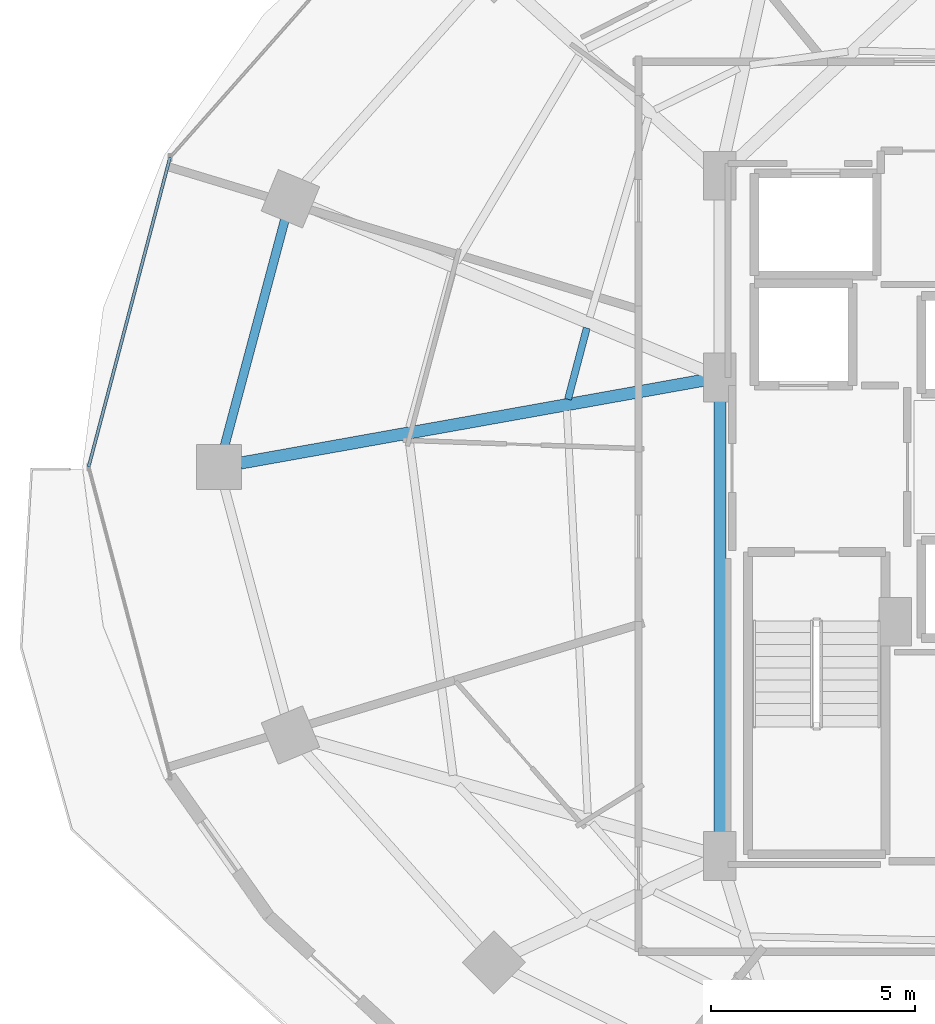
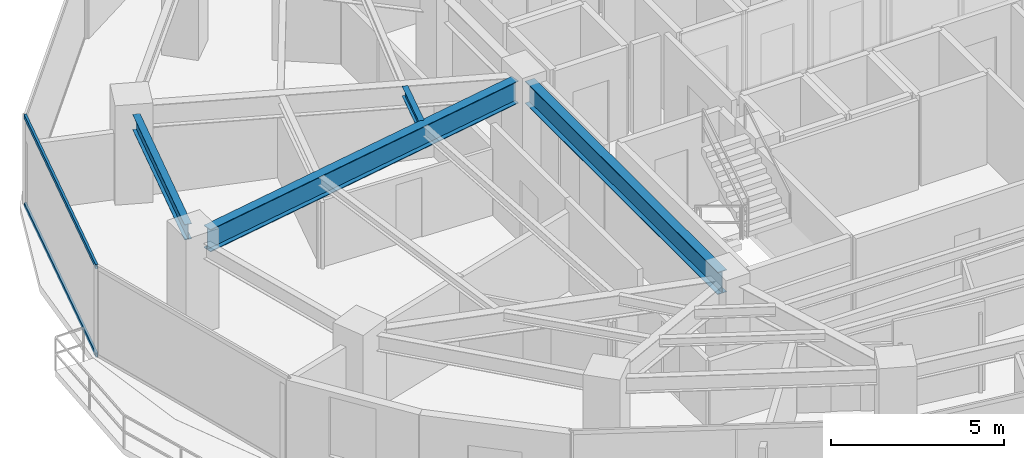
# One storey, part 8 of 29: 4 beams, 2 members, 1 element without a shape of its own.
"""IFC4 building model written with IfcOpenShell, lengths in metres."""

from ifc_helpers import new_model, si_unit, direction, frame, origin, origin_2d, place, context, subcontext, project, spatial, hollow_rectangle, i_section, extrude, material, material_profile, profile_set, type_object, element, aggregate, save


model = new_model("IFC4")

# Units and contexts
model_context = context("Model", 3, precision=1e-05, world=origin(), true_north=direction((0.0, 1.0)))
body_context = subcontext(model_context, "Body", "Model", "MODEL_VIEW")
ifc_project = project(units=[si_unit("LENGTHUNIT", "METRE"), si_unit("AREAUNIT", "SQUARE_METRE"), si_unit("VOLUMEUNIT", "CUBIC_METRE"), si_unit("PLANEANGLEUNIT", "RADIAN"), si_unit("MASSUNIT", "GRAM", prefix="KILO")], contexts=[model_context])

# Site, building, storey
site_placement = place(None, origin())
site = spatial("IfcSite", under=ifc_project, at=site_placement, CompositionType="ELEMENT")
building_placement = place(site_placement, origin())
building = spatial("IfcBuilding", under=site, at=building_placement, Name="Vorneva Point Tower", CompositionType="ELEMENT")
storey_placement = place(building_placement, frame((0.0, 0.0, 120.800048828125)))
storey = spatial("IfcBuildingStorey", under=building, at=storey_placement, Name="L32", CompositionType="ELEMENT", Elevation=120.800048828125)

# Beams
ifc_material_1 = material(Name="Steel S355", Category="steel")
ifc_material_profile_1 = material_profile(ifc_material_1, i_section(OverallWidth=0.300048828125, OverallDepth=0.7880859375, WebThickness=0.014404296875, FlangeThickness=0.02197265625, at=origin_2d()), Name="80Sh1")
ifc_profile_set_1 = profile_set([ifc_material_profile_1], Name="Steel S355")
beam_type_1 = type_object("IfcBeamType", Name="BM-GRD-80Sh1", PredefinedType="USERDEFINED", material=ifc_profile_set_1)
beam_1_placement = place(storey_placement, frame((15.4794921875, 26.0947265625, 2.755859375), z_axis=(0.984378310682, 0.176066298476, 0.0), x_axis=(-0.176066298476, 0.984378310682, 0.0)))
element("IfcBeam", 1, at=beam_1_placement, inside=storey, type_object=beam_type_1, Name="L32 Radial Primary Girder 09", ObjectType="GIRDER", PredefinedType="USERDEFINED", context=body_context, shape_type="SweptSolid", body=[
    extrude(i_section(OverallWidth=0.300048828125, OverallDepth=0.7880859375, WebThickness=0.014404296875, FlangeThickness=0.02197265625, at=origin_2d()), origin(), (0.0, 0.0, 1.0), 11.6171875),
])
beam_2_placement = place(storey_placement, frame((27.25, 16.77001953125, 2.755859375), z_axis=(0.0, 1.0, 0.0), x_axis=(-1.0, 0.0, 0.0)))
element("IfcBeam", 2, at=beam_2_placement, inside=storey, type_object=beam_type_1, Name="L32 Core Tie Girder CT1", ObjectType="GIRDER", PredefinedType="USERDEFINED", context=body_context, shape_type="SweptSolid", body=[
    extrude(i_section(OverallWidth=0.300048828125, OverallDepth=0.7880859375, WebThickness=0.014404296875, FlangeThickness=0.02197265625, at=origin_2d()), origin(), (0.0, 0.0, 1.0), 11.10986328125),
])
ifc_material_profile_2 = material_profile(ifc_material_1, i_section(OverallWidth=0.174072265625, OverallDepth=0.345947265625, WebThickness=0.006103515625, FlangeThickness=0.009033203125, at=origin_2d()), Name="35B1")
ifc_profile_set_2 = profile_set([ifc_material_profile_2], Name="Steel S355")
beam_type_2 = type_object("IfcBeamType", Name="BM-SEC-35B1", PredefinedType="BEAM", material=ifc_profile_set_2)
beam_3_placement = place(storey_placement, frame((23.98046875, 29.41064453125, 2.97705078125), z_axis=(-0.254480022924, -0.967078030943, 0.0), x_axis=(0.967078030943, -0.254480022924, 0.0)))
element("IfcBeam", 3, at=beam_3_placement, inside=storey, type_object=beam_type_2, Name="L32 Secondary Floor Beam 2.08", PredefinedType="BEAM", context=body_context, shape_type="SweptSolid", body=[
    extrude(i_section(OverallWidth=0.174072265625, OverallDepth=0.345947265625, WebThickness=0.006103515625, FlangeThickness=0.009033203125, at=origin_2d()), origin(), (0.0, 0.0, 1.0), 1.810302734375),
])
ifc_material_profile_3 = material_profile(ifc_material_1, i_section(OverallWidth=0.219970703125, OverallDepth=0.54296875, WebThickness=0.009521484375, FlangeThickness=0.013427734375, at=origin_2d()), Name="55B1")
ifc_profile_set_3 = profile_set([ifc_material_profile_3], Name="Steel S355")
beam_type_3 = type_object("IfcBeamType", Name="BM-SPN-55B1", PredefinedType="SPANDREL", material=ifc_profile_set_3)
beam_4_placement = place(storey_placement, frame((16.56689453125, 32.065185546875, 2.87841796875), z_axis=(-0.257572674071, -0.966258928845, 0.0), x_axis=(0.966258928845, -0.257572674071, 0.0)))
element("IfcBeam", 4, at=beam_4_placement, inside=storey, type_object=beam_type_3, Name="L32 Perimeter Spandrel Ring Beam 08", PredefinedType="SPANDREL", context=body_context, shape_type="SweptSolid", body=[
    extrude(i_section(OverallWidth=0.219970703125, OverallDepth=0.54296875, WebThickness=0.009521484375, FlangeThickness=0.013427734375, at=origin_2d()), origin(), (0.0, 0.0, 1.0), 5.7421875),
])

# Curtain wall, members
ifc_material_2 = material(Name="Pale anodised aluminium", Category="aluminium")
curtain_wall_type = type_object("IfcCurtainWallType", Name="CW-HTL-SYS", PredefinedType="NOTDEFINED", material=ifc_material_2)
curtain_wall_placement = place(storey_placement, origin())
curtain_wall = element("IfcCurtainWall", 5, at=curtain_wall_placement, inside=storey, type_object=curtain_wall_type, Name="L32 Unitised Curtain Wall CW-L32-R02", PredefinedType="NOTDEFINED")
ifc_material_profile_4 = material_profile(ifc_material_2, hollow_rectangle(XDim=0.074951171875, YDim=0.14990234375, WallThickness=0.00390625, at=origin_2d()), Name="AL-TRN 150x75x4")
ifc_profile_set_4 = profile_set([ifc_material_profile_4], Name="Pale anodised aluminium")
member_type = type_object("IfcMemberType", Name="CW-TRN-150", PredefinedType="USERDEFINED", material=ifc_profile_set_4)
member_1_placement = place(storey_placement, frame((13.748291015625, 33.59619140625, 0.02001953125), z_axis=(-0.254409150465, -0.967096677773, 0.0), x_axis=(0.967096677773, -0.254409150465, 0.0)))
member_1 = element("IfcMember", 6, at=member_1_placement, type_object=member_type, Name="CW-L32-R02 Transom 02.1", ObjectType="TRANSOM", PredefinedType="USERDEFINED", context=body_context, shape_type="SweptSolid", body=[
    extrude(hollow_rectangle(XDim=0.074951171875, YDim=0.14990234375, WallThickness=0.00390625, at=origin_2d()), origin(), (0.0, 0.0, 1.0), 7.854736328125),
])
member_2_placement = place(storey_placement, frame((13.748291015625, 33.59619140625, 3.1298828125), z_axis=(-0.254409150465, -0.967096677773, 0.0), x_axis=(0.967096677773, -0.254409150465, 0.0)))
member_2 = element("IfcMember", 7, at=member_2_placement, type_object=member_type, Name="CW-L32-R02 Transom 02.2", ObjectType="TRANSOM", PredefinedType="USERDEFINED", context=body_context, shape_type="SweptSolid", body=[
    extrude(hollow_rectangle(XDim=0.074951171875, YDim=0.14990234375, WallThickness=0.00390625, at=origin_2d()), origin(), (0.0, 0.0, 1.0), 7.854736328125),
])
aggregate(curtain_wall, [member_1, member_2])

save(model, "model.ifc")
